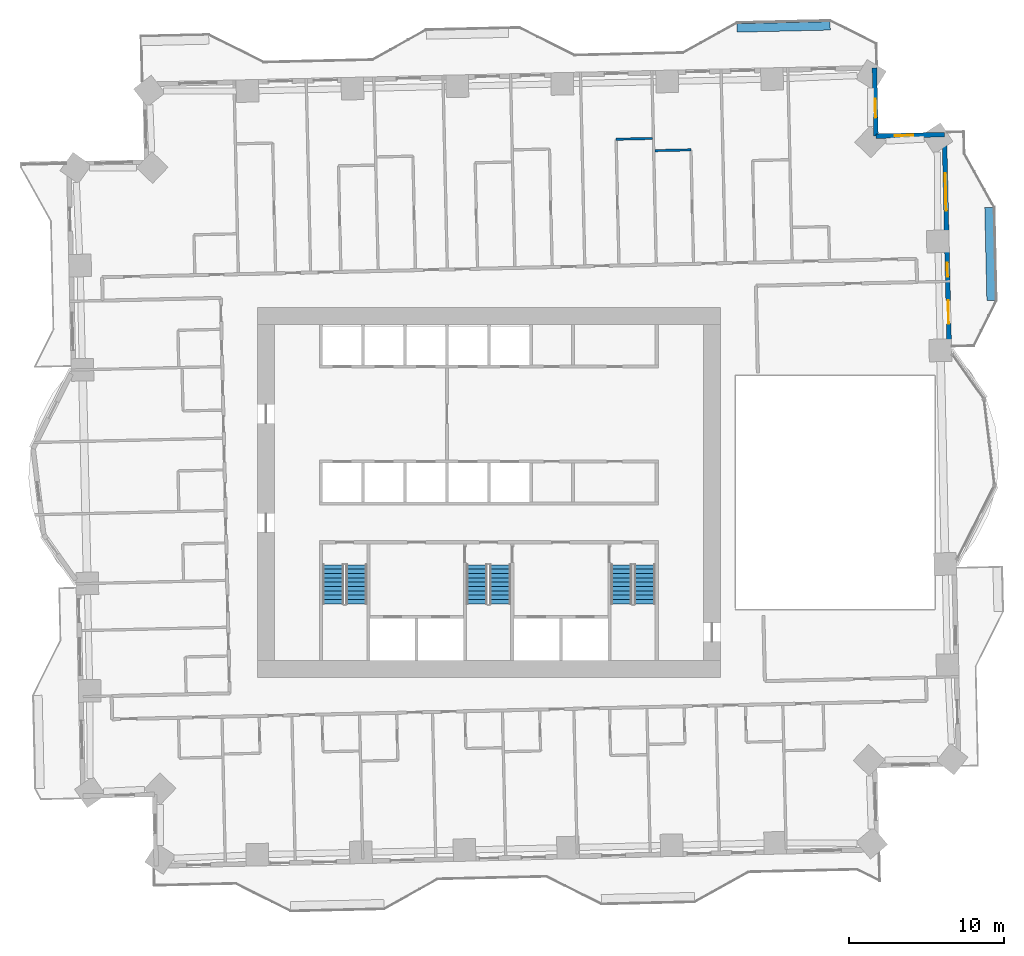
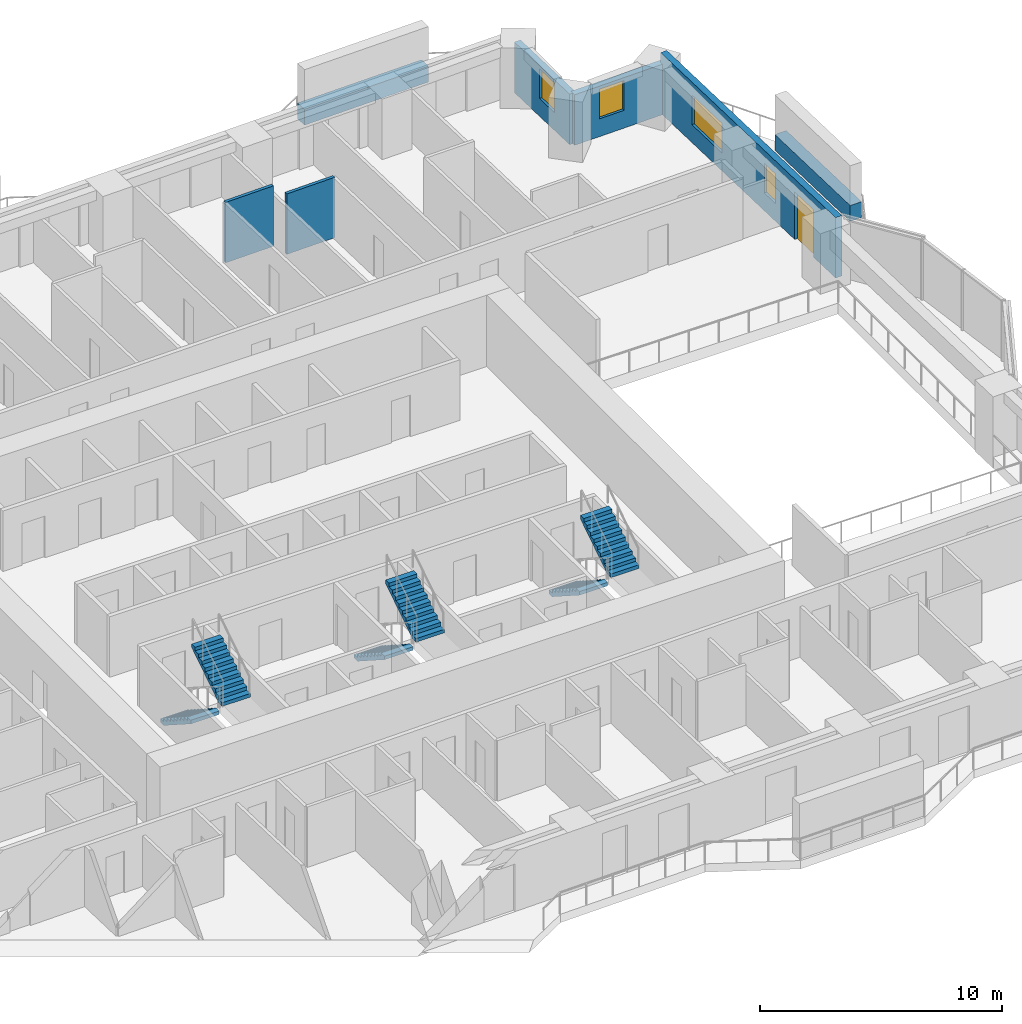
# One storey, part 13 of 17: 7 walls, 6 stair flights, 4 windows, 1 door, 5 openings, 3 elements without a shape of their own.
"""IFC4 building model written with IfcOpenShell, lengths in metres."""

import ifcopenshell
import ifcopenshell.guid

model = None  # the IFC model being written
_history = None  # IfcOwnerHistory: only IFC2X3 demands one
_inside = {}  # id of a spatial element -> (the spatial element, [elements in it])
_under = {}  # id of a project, library or spatial element -> (it, [spatial elements below it])
_declared = {}  # id of a project -> (the project, [libraries it declares])
_typed = {}  # id of a type object -> (the type object, [elements of that type])
_made_of = {}  # id of a material, layer set ... -> (it, [elements and type objects made of it])


def new_model(schema):
    """Start an empty IFC model of exactly this schema.

    Asked for "IFC4X3", IfcOpenShell would pick the latest addendum, in which some entities
    have other attributes; the version numbers below select the first issue.
    IFC2X3 requires an IfcOwnerHistory on every rooted entity: one is made here for all.
    """
    global model, _history
    if schema == "IFC4X3":
        model = ifcopenshell.file(schema_version=(4, 3, 0, 0))
    else:
        model = ifcopenshell.file(schema=schema)
    _inside.clear()
    _under.clear()
    _declared.clear()
    _typed.clear()
    _made_of.clear()
    _history = None
    if model.schema == "IFC2X3":
        org = make("IfcOrganization", Name="unknown")
        user = make(
            "IfcPersonAndOrganization",
            ThePerson=make("IfcPerson", FamilyName="unknown"),
            TheOrganization=org,
        )
        app = make(
            "IfcApplication",
            ApplicationDeveloper=org,
            Version="unknown",
            ApplicationFullName="unknown",
            ApplicationIdentifier="unknown",
        )
        _history = make(
            "IfcOwnerHistory",
            OwningUser=user,
            OwningApplication=app,
            ChangeAction="ADDED",
            CreationDate=0,
        )
    return model


def make(cls, **values):
    """One entity of the class cls with the attributes given. An attribute that is None is left unset."""
    return model.create_entity(
        cls, **{name: value for name, value in values.items() if value is not None}
    )


def rooted(cls, **values):
    """An entity with a GlobalId (a new one), such as an element, a storey or a relation."""
    return make(cls, GlobalId=ifcopenshell.guid.new(), OwnerHistory=_history, **values)


def si_unit(unit_type, name, prefix=None):
    """IfcSIUnit, for example si_unit("LENGTHUNIT", "METRE", prefix="MILLI")."""
    return make("IfcSIUnit", UnitType=unit_type, Prefix=prefix, Name=name)


def assignment(units):
    """IfcUnitAssignment: the units of a project."""
    return None if units is None else make("IfcUnitAssignment", Units=units)


def point(xyz):
    """IfcCartesianPoint."""
    return None if xyz is None else make("IfcCartesianPoint", Coordinates=xyz)


def direction(xyz):
    """IfcDirection."""
    return None if xyz is None else make("IfcDirection", DirectionRatios=xyz)


def frame(location, z_axis=None, x_axis=None):
    """IfcAxis2Placement3D, a coordinate frame: its origin and axes. An axis left out is left unset."""
    return make(
        "IfcAxis2Placement3D",
        Location=point(location),
        Axis=direction(z_axis),
        RefDirection=direction(x_axis),
    )


def frame_2d(location, x_axis=None):
    """IfcAxis2Placement2D, a coordinate frame in the plane: its origin and x axis."""
    return make(
        "IfcAxis2Placement2D", Location=point(location), RefDirection=direction(x_axis)
    )


def origin():
    """The frame at (0, 0, 0) with its axes left unset."""
    return frame((0.0, 0.0, 0.0))


def place(relative_to, where):
    """IfcLocalPlacement: puts the frame where relative to a parent placement (None: the world)."""
    return make(
        "IfcLocalPlacement", PlacementRelTo=relative_to, RelativePlacement=where
    )


def context(
    kind, dimensions, precision=None, world=None, true_north=None, identifier=None
):
    """IfcGeometricRepresentationContext, for example the 3D "Model" context."""
    return make(
        "IfcGeometricRepresentationContext",
        ContextIdentifier=identifier,
        ContextType=kind,
        CoordinateSpaceDimension=dimensions,
        Precision=precision,
        WorldCoordinateSystem=world,
        TrueNorth=true_north,
    )


def subcontext(parent, identifier, kind, view, scale=None):
    """IfcGeometricRepresentationSubContext, for example "Body" below "Model"."""
    return make(
        "IfcGeometricRepresentationSubContext",
        ContextIdentifier=identifier,
        ContextType=kind,
        ParentContext=parent,
        TargetScale=scale,
        TargetView=view,
    )


def project(units=None, contexts=None):
    """IfcProject with its units and contexts."""
    return rooted(
        "IfcProject",
        Name="project",
        RepresentationContexts=contexts,
        UnitsInContext=assignment(units),
    )


def spatial(cls, under=None, at=None, **own):
    """A site, building, storey or space (cls), placed at a placement, below another one or the project."""
    s = rooted(cls, ObjectPlacement=at, **own)
    if under is not None:
        _under.setdefault(under.id(), (under, []))[1].append(s)
    return s


def polyline(points):
    """IfcPolyline through the points."""
    return make("IfcPolyline", Points=[point(p) for p in points])


def profile(cls, at=None, kind="AREA", **sizes):
    """A parametric profile (cls). Its sizes go by their IFC names, for example OverallWidth=200.0."""
    return make(cls, ProfileType=kind, Position=at, **sizes)


def rectangle(**sizes):
    """IfcRectangleProfileDef."""
    return profile("IfcRectangleProfileDef", **sizes)


def outline(outer, holes=None, kind="AREA"):
    """IfcArbitraryClosedProfileDef: a profile drawn as a closed curve; with holes, ...WithVoids."""
    if holes is None:
        return make("IfcArbitraryClosedProfileDef", ProfileType=kind, OuterCurve=outer)
    return make(
        "IfcArbitraryProfileDefWithVoids",
        ProfileType=kind,
        OuterCurve=outer,
        InnerCurves=holes,
    )


def extrude(swept, where, along, depth):
    """IfcExtrudedAreaSolid: the profile swept, set in the frame where, extruded along a direction by depth."""
    return make(
        "IfcExtrudedAreaSolid",
        SweptArea=swept,
        Position=where,
        ExtrudedDirection=direction(along),
        Depth=depth,
    )


def shape(context_of_items, identifier, shape_type, items):
    """IfcShapeRepresentation: the items that make up one representation, for example the "Body"."""
    return make(
        "IfcShapeRepresentation",
        ContextOfItems=context_of_items,
        RepresentationIdentifier=identifier,
        RepresentationType=shape_type,
        Items=items,
    )


def material(Name=None, Category=None):
    """IfcMaterial."""
    return make("IfcMaterial", Name=Name, Category=Category)


def layer(
    of_material, thickness, ventilated=None, Name=None, Category=None, Priority=None
):
    """IfcMaterialLayer: one layer of a wall or slab, of a material (None: an air gap)."""
    return make(
        "IfcMaterialLayer",
        Material=of_material,
        LayerThickness=thickness,
        IsVentilated=ventilated,
        Name=Name,
        Category=Category,
        Priority=Priority,
    )


def layer_set(layers, Name=None):
    """IfcMaterialLayerSet."""
    return make("IfcMaterialLayerSet", MaterialLayers=layers, LayerSetName=Name)


def made_of(thing, what):
    """Note that an element or type object is made of a material, layer set ...; save() writes the relation."""
    if what is not None:
        _made_of.setdefault(what.id(), (what, []))[1].append(thing)
    return thing


def type_object(cls, material=None, **own):
    """A type object (cls), such as IfcWallType, which elements share."""
    return made_of(rooted(cls, **own), material)


def element(
    cls,
    number,
    at=None,
    inside=None,
    cuts=None,
    type_object=None,
    material=None,
    context=None,
    identifier="Body",
    shape_type=None,
    held_by="IfcProductDefinitionShape",
    body=None,
    shapes=None,
    **own,
):
    """One element of the class cls, such as IfcWall. Its Tag is "e" and its number.

    at: its placement. inside: the storey or other place that contains it. cuts: it is an
    opening in that element (IfcRelVoidsElement). A single representation is given by context,
    identifier, shape_type and body (its items); several are given by shapes. held_by: the class
    of the entity that holds the representations. save() writes the other relations.
    """
    e = rooted(cls, Tag="e%d" % number, ObjectPlacement=at, **own)
    if body is not None:
        shapes = [shape(context, identifier, shape_type, body)]
    if shapes is not None:
        e.Representation = make(held_by, Representations=shapes)
    if inside is not None:
        _inside.setdefault(inside.id(), (inside, []))[1].append(e)
    if cuts is not None:
        rooted(
            "IfcRelVoidsElement", RelatingBuildingElement=cuts, RelatedOpeningElement=e
        )
    if type_object is not None:
        _typed.setdefault(type_object.id(), (type_object, []))[1].append(e)
    return made_of(e, material)


def fill(opening, filler):
    """IfcRelFillsElement: the door or window that sits in an opening."""
    return rooted(
        "IfcRelFillsElement",
        RelatingOpeningElement=opening,
        RelatedBuildingElement=filler,
    )


def aggregate(whole, parts):
    """IfcRelAggregates: a whole, such as a stair, and the parts it consists of."""
    return rooted("IfcRelAggregates", RelatingObject=whole, RelatedObjects=parts)


def save(model, path):
    """Write the relations noted so far, then the file.

    IfcRelAggregates (storeys below a building ...), IfcRelContainedInSpatialStructure (elements
    in a storey), IfcRelDefinesByType, IfcRelAssociatesMaterial and IfcRelDeclares: one each for
    every whole, place, type object, material and project.
    """
    for whole, parts in _under.values():
        aggregate(whole, parts)
    for where, things in _inside.values():
        rooted(
            "IfcRelContainedInSpatialStructure",
            RelatedElements=things,
            RelatingStructure=where,
        )
    for kind, things in _typed.values():
        rooted("IfcRelDefinesByType", RelatedObjects=things, RelatingType=kind)
    for what, things in _made_of.values():
        rooted("IfcRelAssociatesMaterial", RelatedObjects=things, RelatingMaterial=what)
    for by, libraries in _declared.values():
        rooted("IfcRelDeclares", RelatingContext=by, RelatedDefinitions=libraries)
    model.write(path)


model = new_model("IFC4")

# Units and contexts
model_context = context("Model", 3, precision=1e-05, world=origin(), true_north=direction((0.0, 1.0)))
body_context = subcontext(model_context, "Body", "Model", "MODEL_VIEW")
ifc_project = project(units=[si_unit("LENGTHUNIT", "METRE"), si_unit("AREAUNIT", "SQUARE_METRE"), si_unit("VOLUMEUNIT", "CUBIC_METRE"), si_unit("PLANEANGLEUNIT", "RADIAN"), si_unit("MASSUNIT", "GRAM", prefix="KILO")], contexts=[model_context])

# Site, building, storey
site_placement = place(None, origin())
site = spatial("IfcSite", under=ifc_project, at=site_placement, CompositionType="ELEMENT")
building_placement = place(site_placement, origin())
building = spatial("IfcBuilding", under=site, at=building_placement, Name="Mangrove Gate Tower", CompositionType="ELEMENT")
storey_placement = place(building_placement, frame((0.0, 0.0, 82.89990234375)))
storey = spatial("IfcBuildingStorey", under=building, at=storey_placement, Name="L20", CompositionType="ELEMENT", Elevation=82.89990234375)

# Wall, openings, door, windows
ifc_material_1 = material(Name="Limestone", Category="masonry")
ifc_layer_1 = layer(ifc_material_1, 0.0400390625, Name="Limestone cladding")
ifc_material_2 = material(Name="Ventilated air gap")
ifc_layer_2 = layer(ifc_material_2, 0.0400390625, Name="Ventilated cavity")
ifc_material_3 = material(Name="Mineral wool insulation")
ifc_layer_3 = layer(ifc_material_3, 0.06005859375, Name="Insulation")
ifc_material_4 = material(Name="Breather membrane")
ifc_layer_4 = layer(ifc_material_4, 0.001953125, Name="Breather membrane")
ifc_material_5 = material(Name="Concrete C20/25 blockwork", Category="masonry")
ifc_layer_5 = layer(ifc_material_5, 0.14990234375, Name="Blockwork backing wall")
ifc_material_6 = material(Name="Gypsum plaster")
ifc_layer_6 = layer(ifc_material_6, 0.008056640625, Name="Internal plaster")
ifc_layer_set_1 = layer_set([ifc_layer_1, ifc_layer_2, ifc_layer_3, ifc_layer_4, ifc_layer_5, ifc_layer_6], Name="External wall 300 limestone cladding")
wall_type_1 = type_object("IfcWallType", Name="External wall 300 limestone cladding", PredefinedType="SOLIDWALL", material=ifc_layer_set_1)
wall_1_placement = place(storey_placement, frame((29.6240234375, 9.10791015625, 0.0), z_axis=(0.0, 0.0, 1.0), x_axis=(-0.022679601751, 0.999742784752, 0.0)))
wall_1 = element("IfcWall", 1, at=wall_1_placement, inside=storey, type_object=wall_type_1, Name="WALL-L20-E2", PredefinedType="SOLIDWALL", context=body_context, shape_type="SweptSolid", body=[
    extrude(rectangle(XDim=13.9296875, YDim=0.300048828125, at=frame_2d((6.96484375, 0.0))), origin(), (0.0, 0.0, 1.0), 3.050048828125),
])
opening_1_placement = place(wall_1_placement, frame((1.75390625, 0.0, 0.0)))
opening_1 = element("IfcOpeningElement", 2, at=opening_1_placement, cuts=wall_1, Name="Opening BD1", PredefinedType="OPENING", context=body_context, shape_type="SweptSolid", body=[
    extrude(rectangle(XDim=1.5, YDim=2.39990234375, at=frame_2d((0.75, 1.199951171875))), frame((0.0, 0.159912109375, 0.0), z_axis=(0.0, -1.0, 0.0), x_axis=(1.0, 0.0, 0.0)), (0.0, 0.0, 1.0), 0.320068359375),
])
opening_2_placement = place(wall_1_placement, frame((4.780029296875, 0.0, 0.89990234375)))
opening_2 = element("IfcOpeningElement", 3, at=opening_2_placement, cuts=wall_1, Name="Opening W5", PredefinedType="OPENING", context=body_context, shape_type="SweptSolid", body=[
    extrude(rectangle(XDim=0.89990234375, YDim=1.5, at=frame_2d((0.449951171875, 0.75))), frame((0.0, 0.159912109375, 0.0), z_axis=(0.0, -1.0, 0.0), x_axis=(1.0, 0.0, 0.0)), (0.0, 0.0, 1.0), 0.320068359375),
])
opening_3_placement = place(wall_1_placement, frame((9.04296875, 0.0, 0.89990234375)))
opening_3 = element("IfcOpeningElement", 4, at=opening_3_placement, cuts=wall_1, Name="Opening W2", PredefinedType="OPENING", context=body_context, shape_type="SweptSolid", body=[
    extrude(rectangle(XDim=2.39990234375, YDim=1.5, at=frame_2d((1.199951171875, 0.75))), frame((0.0, 0.159912109375, 0.0), z_axis=(0.0, -1.0, 0.0), x_axis=(1.0, 0.0, 0.0)), (0.0, 0.0, 1.0), 0.320068359375),
])
ifc_material_7 = material(Name="Aluminium frame with laminated clear glass", Category="aluminium")
door_type = type_object("IfcDoorType", Name="Balcony sliding door 1500x2400", OperationType="SLIDING_TO_LEFT", PredefinedType="DOOR", material=ifc_material_7)
door_placement = place(opening_1_placement, origin())
door = element("IfcDoor", 5, at=door_placement, inside=storey, type_object=door_type, Name="DOOR-L20-E2-1", OperationType="SLIDING_TO_LEFT", OverallHeight=2.39990234375, OverallWidth=1.5, PredefinedType="DOOR", context=body_context, shape_type="SweptSolid", body=[
    extrude(rectangle(XDim=1.5, YDim=2.39990234375, at=frame_2d((0.75, 1.199951171875))), frame((0.0, 0.02490234375, 0.0), z_axis=(0.0, -1.0, 0.0), x_axis=(1.0, 0.0, 0.0)), (0.0, 0.0, 1.0), 0.050048828125),
])
fill(opening_1, door)
ifc_material_8 = material(Name="Aluminium frame with double-glazed low-e glass", Category="aluminium")
window_type_1 = type_object("IfcWindowType", Name="Corner room window 2400x1500", PartitioningType="DOUBLE_PANEL_VERTICAL", PredefinedType="WINDOW", material=ifc_material_8)
window_1_placement = place(opening_3_placement, origin())
window_1 = element("IfcWindow", 6, at=window_1_placement, inside=storey, type_object=window_type_1, Name="WIN-L20-E2-3", OverallHeight=1.5, OverallWidth=2.39990234375, PartitioningType="DOUBLE_PANEL_VERTICAL", PredefinedType="WINDOW", context=body_context, shape_type="SweptSolid", body=[
    extrude(rectangle(XDim=2.39990234375, YDim=1.5, at=frame_2d((1.199951171875, 0.75))), frame((0.0, 0.030029296875, 0.0), z_axis=(0.0, -1.0, 0.0), x_axis=(1.0, 0.0, 0.0)), (0.0, 0.0, 1.0), 0.06005859375),
])
fill(opening_3, window_1)
ifc_material_9 = material(Name="Aluminium frame with double-glazed low-e glass", Category="aluminium")
window_type_2 = type_object("IfcWindowType", Name="Narrow window 900x1500", PartitioningType="SINGLE_PANEL", PredefinedType="WINDOW", material=ifc_material_9)
window_2_placement = place(opening_2_placement, origin())
window_2 = element("IfcWindow", 7, at=window_2_placement, inside=storey, type_object=window_type_2, Name="WIN-L20-E2-2", OverallHeight=1.5, OverallWidth=0.89990234375, PartitioningType="SINGLE_PANEL", PredefinedType="WINDOW", context=body_context, shape_type="SweptSolid", body=[
    extrude(rectangle(XDim=0.89990234375, YDim=1.5, at=frame_2d((0.449951171875, 0.75))), frame((0.0, 0.030029296875, 0.0), z_axis=(0.0, -1.0, 0.0), x_axis=(1.0, 0.0, 0.0)), (0.0, 0.0, 1.0), 0.06005859375),
])
fill(opening_2, window_2)

# Wall, opening, window
wall_2_placement = place(storey_placement, frame((29.30810546875, 23.033935546875, 0.0), z_axis=(0.0, 0.0, 1.0), x_axis=(-0.999742493928, -0.022692418004, 0.0)))
wall_2 = element("IfcWall", 8, at=wall_2_placement, inside=storey, type_object=wall_type_1, Name="WALL-L20-N3", PredefinedType="SOLIDWALL", context=body_context, shape_type="SweptSolid", body=[
    extrude(rectangle(XDim=4.400390625, YDim=0.300048828125, at=frame_2d((2.2001953125, 0.0))), origin(), (0.0, 0.0, 1.0), 2.550048828125),
])
opening_4_placement = place(wall_2_placement, frame((2.0, 0.0, 0.89990234375)))
opening_4 = element("IfcOpeningElement", 9, at=opening_4_placement, cuts=wall_2, Name="Opening W1", PredefinedType="OPENING", context=body_context, shape_type="SweptSolid", body=[
    extrude(rectangle(XDim=1.199951171875, YDim=1.5, at=frame_2d((0.60009765625, 0.75))), frame((0.0, 0.159912109375, 0.0), z_axis=(0.0, -1.0, 0.0), x_axis=(1.0, 0.0, 0.0)), (0.0, 0.0, 1.0), 0.320068359375),
])
ifc_material_10 = material(Name="Aluminium frame with double-glazed low-e glass", Category="aluminium")
window_type_3 = type_object("IfcWindowType", Name="Side lite 1200x1500", PartitioningType="SINGLE_PANEL", PredefinedType="WINDOW", material=ifc_material_10)
window_3_placement = place(opening_4_placement, origin())
window_3 = element("IfcWindow", 10, at=window_3_placement, inside=storey, type_object=window_type_3, Name="WIN-L20-N3-1", OverallHeight=1.5, OverallWidth=1.199951171875, PartitioningType="SINGLE_PANEL", PredefinedType="WINDOW", context=body_context, shape_type="SweptSolid", body=[
    extrude(rectangle(XDim=1.199951171875, YDim=1.5, at=frame_2d((0.60009765625, 0.75))), frame((0.0, 0.030029296875, 0.0), z_axis=(0.0, -1.0, 0.0), x_axis=(1.0, 0.0, 0.0)), (0.0, 0.0, 1.0), 0.06005859375),
])
fill(opening_4, window_3)

wall_3_placement = place(storey_placement, frame((24.908935546875, 22.93408203125, 0.0), z_axis=(0.0, 0.0, 1.0), x_axis=(-0.022693676786, 0.999742465355, 0.0)))
wall_3 = element("IfcWall", 11, at=wall_3_placement, inside=storey, type_object=wall_type_1, Name="WALL-L20-E4", PredefinedType="SOLIDWALL", context=body_context, shape_type="SweptSolid", body=[
    extrude(rectangle(XDim=4.400146484375, YDim=0.300048828125, at=frame_2d((2.2001953125, 0.0))), origin(), (0.0, 0.0, 1.0), 2.550048828125),
])
opening_5_placement = place(wall_3_placement, frame((1.200927734375, 0.0, 0.89990234375)))
opening_5 = element("IfcOpeningElement", 12, at=opening_5_placement, cuts=wall_3, Name="Opening W1", PredefinedType="OPENING", context=body_context, shape_type="SweptSolid", body=[
    extrude(rectangle(XDim=1.199951171875, YDim=1.5, at=frame_2d((0.60009765625, 0.75))), frame((0.0, 0.159912109375, 0.0), z_axis=(0.0, -1.0, 0.0), x_axis=(1.0, 0.0, 0.0)), (0.0, 0.0, 1.0), 0.320068359375),
])
window_4_placement = place(opening_5_placement, origin())
window_4 = element("IfcWindow", 13, at=window_4_placement, inside=storey, type_object=window_type_3, Name="WIN-L20-E4-1", OverallHeight=1.5, OverallWidth=1.199951171875, PartitioningType="SINGLE_PANEL", PredefinedType="WINDOW", context=body_context, shape_type="SweptSolid", body=[
    extrude(rectangle(XDim=1.199951171875, YDim=1.5, at=frame_2d((0.60009765625, 0.75))), frame((0.0, 0.030029296875, 0.0), z_axis=(0.0, -1.0, 0.0), x_axis=(1.0, 0.0, 0.0)), (0.0, 0.0, 1.0), 0.06005859375),
])
fill(opening_5, window_4)

# Walls
ifc_material_11 = material(Name="Gypsum board on steel stud, EI 60", Category="steel")
ifc_layer_7 = layer(ifc_material_11, 0.14990234375)
ifc_layer_set_2 = layer_set([ifc_layer_7], Name="Party wall 150 EI 60")
wall_type_2 = type_object("IfcWallType", Name="Party wall 150 EI 60", PredefinedType="PARTITIONING", material=ifc_layer_set_2)
wall_4_placement = place(storey_placement, frame((10.679931640625, 22.0009765625, 0.0), z_axis=(0.0, 0.0, 1.0), x_axis=(0.999740260747, 0.02279059109, 0.0)))
element("IfcWall", 14, at=wall_4_placement, inside=storey, type_object=wall_type_2, Name="WALL-L20-087", PredefinedType="PARTITIONING", context=body_context, shape_type="SweptSolid", body=[
    extrude(rectangle(XDim=2.324462890625, YDim=0.14990234375, at=frame_2d((1.162109375, 0.0))), origin(), (0.0, 0.0, 1.0), 3.050048828125),
])
wall_5_placement = place(storey_placement, frame((8.18701171875, 22.735107421875, 0.0), z_axis=(0.0, 0.0, 1.0), x_axis=(0.999740478815, 0.022781023197, 0.0)))
element("IfcWall", 15, at=wall_5_placement, inside=storey, type_object=wall_type_2, Name="WALL-L20-089", PredefinedType="PARTITIONING", context=body_context, shape_type="SweptSolid", body=[
    extrude(rectangle(XDim=2.325439453125, YDim=0.14990234375, at=frame_2d((1.16259765625, 0.0))), origin(), (0.0, 0.0, 1.0), 3.050048828125),
])
ifc_material_12 = material(Name="Concrete C32/40", Category="concrete")
ifc_layer_8 = layer(ifc_material_12, 0.199951171875, Name="Planter trough wall")
ifc_material_13 = material(Name="Bituminous waterproofing membrane")
ifc_layer_9 = layer(ifc_material_13, 0.0048828125, Name="Waterproofing")
ifc_material_14 = material(Name="Drainage board and gravel")
ifc_layer_10 = layer(ifc_material_14, 0.044921875, Name="Drainage layer")
ifc_material_15 = material(Name="Planting soil")
ifc_layer_11 = layer(ifc_material_15, 0.300048828125, Name="Growing medium")
ifc_layer_set_3 = layer_set([ifc_layer_8, ifc_layer_9, ifc_layer_10, ifc_layer_11], Name="Planter wall 550 C32/40")
wall_type_3 = type_object("IfcWallType", Name="Planter wall 550 C32/40", PredefinedType="USERDEFINED", material=ifc_layer_set_3)
wall_6_placement = place(storey_placement, frame((32.31591796875, 12.35009765625, 0.0), z_axis=(0.0, 0.0, 1.0), x_axis=(-0.022666865795, 0.999743073592, 0.0)))
element("IfcWall", 16, at=wall_6_placement, inside=storey, type_object=wall_type_3, Name="PLANTER L20 E1.1", ObjectType="PLANTER", PredefinedType="USERDEFINED", context=body_context, shape_type="SweptSolid", body=[
    extrude(rectangle(XDim=5.999267578125, YDim=0.550048828125, at=frame_2d((2.99951171875, 0.0))), origin(), (0.0, 0.0, 1.0), 0.800048828125),
])
wall_7_placement = place(storey_placement, frame((15.962890625, 29.89794921875, 0.0), z_axis=(0.0, 0.0, 1.0), x_axis=(0.999743094499, 0.022665943652, 0.0)))
element("IfcWall", 17, at=wall_7_placement, inside=storey, type_object=wall_type_3, Name="PLANTER L20 N0.1", ObjectType="PLANTER", PredefinedType="USERDEFINED", context=body_context, shape_type="SweptSolid", body=[
    extrude(rectangle(XDim=5.99951171875, YDim=0.550048828125, at=frame_2d((2.999755859375, 0.0))), origin(), (0.0, 0.0, 1.0), 0.800048828125),
])

# Stair, stair flights
ifc_material_16 = material(Name="Concrete C40/50", Category="concrete")
stair_type = type_object("IfcStairType", Name="Core stair 1350", PredefinedType="HALF_TURN_STAIR", material=ifc_material_16)
stair_1_placement = place(storey_placement, origin())
stair_1 = element("IfcStair", 18, at=stair_1_placement, inside=storey, type_object=stair_type, Name="L20 Stair 1", PredefinedType="HALF_TURN_STAIR")
ifc_material_17 = material(Name="Concrete C40/50", Category="concrete")
stair_flight_type = type_object("IfcStairFlightType", Name="Core stair flight 1350", PredefinedType="STRAIGHT", material=ifc_material_17)
stair_flight_1_placement = place(storey_placement, frame((-10.02490234375, -4.64990234375, 0.0), z_axis=(0.0, 0.0, 1.0), x_axis=(0.0, -1.0, 0.0)))
stair_flight_1 = element("IfcStairFlight", 19, at=stair_flight_1_placement, type_object=stair_flight_type, Name="ST1 flight 1", NumberOfRisers=10, NumberOfTreads=9, PredefinedType="STRAIGHT", RiserHeight=0.18, TreadLength=0.28, context=body_context, shape_type="SweptSolid", body=[
    extrude(outline(polyline([(0.0, 0.0), (0.0, 0.179931640625), (0.280029296875, 0.179931640625), (0.280029296875, 0.360107421875), (0.56005859375, 0.360107421875), (0.56005859375, 0.5400390625), (0.840087890625, 0.5400390625), (0.840087890625, 0.719970703125), (1.1201171875, 0.719970703125), (1.1201171875, 0.89990234375), (1.39990234375, 0.89990234375), (1.39990234375, 1.080078125), (1.679931640625, 1.080078125), (1.679931640625, 1.260009765625), (1.9599609375, 1.260009765625), (1.9599609375, 1.43994140625), (2.239990234375, 1.43994140625), (2.239990234375, 1.6201171875), (2.52001953125, 1.6201171875), (2.52001953125, 1.800048828125), (2.52001953125, 1.44189453125), (0.277099609375, 0.0), (0.0, 0.0)])), frame((0.0, 0.675048828125, 0.0), z_axis=(0.0, -1.0, 0.0), x_axis=(1.0, 0.0, 0.0)), (0.0, 0.0, 1.0), 1.35009765625),
])
stair_flight_2_placement = place(storey_placement, frame((-8.52490234375, -7.169921875, 1.800048828125), z_axis=(0.0, 0.0, 1.0), x_axis=(0.0, 1.0, 0.0)))
stair_flight_2 = element("IfcStairFlight", 20, at=stair_flight_2_placement, type_object=stair_flight_type, Name="ST1 flight 2", NumberOfRisers=10, NumberOfTreads=9, PredefinedType="STRAIGHT", RiserHeight=0.18, TreadLength=0.28, context=body_context, shape_type="SweptSolid", body=[
    extrude(outline(polyline([(0.0, 0.0), (0.0, 0.179931640625), (0.280029296875, 0.179931640625), (0.280029296875, 0.360107421875), (0.56005859375, 0.360107421875), (0.56005859375, 0.5400390625), (0.840087890625, 0.5400390625), (0.840087890625, 0.719970703125), (1.1201171875, 0.719970703125), (1.1201171875, 0.89990234375), (1.39990234375, 0.89990234375), (1.39990234375, 1.080078125), (1.679931640625, 1.080078125), (1.679931640625, 1.260009765625), (1.9599609375, 1.260009765625), (1.9599609375, 1.43994140625), (2.239990234375, 1.43994140625), (2.239990234375, 1.6201171875), (2.52001953125, 1.6201171875), (2.52001953125, 1.800048828125), (2.52001953125, 1.44189453125), (0.277099609375, 0.0), (0.0, 0.0)])), frame((0.0, 0.675048828125, 0.0), z_axis=(0.0, -1.0, 0.0), x_axis=(1.0, 0.0, 0.0)), (0.0, 0.0, 1.0), 1.35009765625),
])
aggregate(stair_1, [stair_flight_1, stair_flight_2])

stair_2_placement = place(storey_placement, origin())
stair_2 = element("IfcStair", 21, at=stair_2_placement, inside=storey, type_object=stair_type, Name="L20 Stair 2", PredefinedType="HALF_TURN_STAIR")
stair_flight_3_placement = place(storey_placement, frame((-0.77490234375, -4.64990234375, 0.0), z_axis=(0.0, 0.0, 1.0), x_axis=(0.0, -1.0, 0.0)))
stair_flight_3 = element("IfcStairFlight", 22, at=stair_flight_3_placement, type_object=stair_flight_type, Name="ST2 flight 1", NumberOfRisers=10, NumberOfTreads=9, PredefinedType="STRAIGHT", RiserHeight=0.18, TreadLength=0.28, context=body_context, shape_type="SweptSolid", body=[
    extrude(outline(polyline([(0.0, 0.0), (0.0, 0.179931640625), (0.280029296875, 0.179931640625), (0.280029296875, 0.360107421875), (0.56005859375, 0.360107421875), (0.56005859375, 0.5400390625), (0.840087890625, 0.5400390625), (0.840087890625, 0.719970703125), (1.1201171875, 0.719970703125), (1.1201171875, 0.89990234375), (1.39990234375, 0.89990234375), (1.39990234375, 1.080078125), (1.679931640625, 1.080078125), (1.679931640625, 1.260009765625), (1.9599609375, 1.260009765625), (1.9599609375, 1.43994140625), (2.239990234375, 1.43994140625), (2.239990234375, 1.6201171875), (2.52001953125, 1.6201171875), (2.52001953125, 1.800048828125), (2.52001953125, 1.44189453125), (0.277099609375, 0.0), (0.0, 0.0)])), frame((0.0, 0.675048828125, 0.0), z_axis=(0.0, -1.0, 0.0), x_axis=(1.0, 0.0, 0.0)), (0.0, 0.0, 1.0), 1.35009765625),
])
stair_flight_4_placement = place(storey_placement, frame((0.72509765625, -7.169921875, 1.800048828125), z_axis=(0.0, 0.0, 1.0), x_axis=(0.0, 1.0, 0.0)))
stair_flight_4 = element("IfcStairFlight", 23, at=stair_flight_4_placement, type_object=stair_flight_type, Name="ST2 flight 2", NumberOfRisers=10, NumberOfTreads=9, PredefinedType="STRAIGHT", RiserHeight=0.18, TreadLength=0.28, context=body_context, shape_type="SweptSolid", body=[
    extrude(outline(polyline([(0.0, 0.0), (0.0, 0.179931640625), (0.280029296875, 0.179931640625), (0.280029296875, 0.360107421875), (0.56005859375, 0.360107421875), (0.56005859375, 0.5400390625), (0.840087890625, 0.5400390625), (0.840087890625, 0.719970703125), (1.1201171875, 0.719970703125), (1.1201171875, 0.89990234375), (1.39990234375, 0.89990234375), (1.39990234375, 1.080078125), (1.679931640625, 1.080078125), (1.679931640625, 1.260009765625), (1.9599609375, 1.260009765625), (1.9599609375, 1.43994140625), (2.239990234375, 1.43994140625), (2.239990234375, 1.6201171875), (2.52001953125, 1.6201171875), (2.52001953125, 1.800048828125), (2.52001953125, 1.44189453125), (0.277099609375, 0.0), (0.0, 0.0)])), frame((0.0, 0.675048828125, 0.0), z_axis=(0.0, -1.0, 0.0), x_axis=(1.0, 0.0, 0.0)), (0.0, 0.0, 1.0), 1.35009765625),
])
aggregate(stair_2, [stair_flight_3, stair_flight_4])

stair_3_placement = place(storey_placement, origin())
stair_3 = element("IfcStair", 24, at=stair_3_placement, inside=storey, type_object=stair_type, Name="L20 Stair 3", PredefinedType="HALF_TURN_STAIR")
stair_flight_5_placement = place(storey_placement, frame((8.52490234375, -4.64990234375, 0.0), z_axis=(0.0, 0.0, 1.0), x_axis=(0.0, -1.0, 0.0)))
stair_flight_5 = element("IfcStairFlight", 25, at=stair_flight_5_placement, type_object=stair_flight_type, Name="ST3 flight 1", NumberOfRisers=10, NumberOfTreads=9, PredefinedType="STRAIGHT", RiserHeight=0.18, TreadLength=0.28, context=body_context, shape_type="SweptSolid", body=[
    extrude(outline(polyline([(0.0, 0.0), (0.0, 0.179931640625), (0.280029296875, 0.179931640625), (0.280029296875, 0.360107421875), (0.56005859375, 0.360107421875), (0.56005859375, 0.5400390625), (0.840087890625, 0.5400390625), (0.840087890625, 0.719970703125), (1.1201171875, 0.719970703125), (1.1201171875, 0.89990234375), (1.39990234375, 0.89990234375), (1.39990234375, 1.080078125), (1.679931640625, 1.080078125), (1.679931640625, 1.260009765625), (1.9599609375, 1.260009765625), (1.9599609375, 1.43994140625), (2.239990234375, 1.43994140625), (2.239990234375, 1.6201171875), (2.52001953125, 1.6201171875), (2.52001953125, 1.800048828125), (2.52001953125, 1.44189453125), (0.277099609375, 0.0), (0.0, 0.0)])), frame((0.0, 0.675048828125, 0.0), z_axis=(0.0, -1.0, 0.0), x_axis=(1.0, 0.0, 0.0)), (0.0, 0.0, 1.0), 1.35009765625),
])
stair_flight_6_placement = place(storey_placement, frame((10.02490234375, -7.169921875, 1.800048828125), z_axis=(0.0, 0.0, 1.0), x_axis=(0.0, 1.0, 0.0)))
stair_flight_6 = element("IfcStairFlight", 26, at=stair_flight_6_placement, type_object=stair_flight_type, Name="ST3 flight 2", NumberOfRisers=10, NumberOfTreads=9, PredefinedType="STRAIGHT", RiserHeight=0.18, TreadLength=0.28, context=body_context, shape_type="SweptSolid", body=[
    extrude(outline(polyline([(0.0, 0.0), (0.0, 0.179931640625), (0.280029296875, 0.179931640625), (0.280029296875, 0.360107421875), (0.56005859375, 0.360107421875), (0.56005859375, 0.5400390625), (0.840087890625, 0.5400390625), (0.840087890625, 0.719970703125), (1.1201171875, 0.719970703125), (1.1201171875, 0.89990234375), (1.39990234375, 0.89990234375), (1.39990234375, 1.080078125), (1.679931640625, 1.080078125), (1.679931640625, 1.260009765625), (1.9599609375, 1.260009765625), (1.9599609375, 1.43994140625), (2.239990234375, 1.43994140625), (2.239990234375, 1.6201171875), (2.52001953125, 1.6201171875), (2.52001953125, 1.800048828125), (2.52001953125, 1.44189453125), (0.277099609375, 0.0), (0.0, 0.0)])), frame((0.0, 0.675048828125, 0.0), z_axis=(0.0, -1.0, 0.0), x_axis=(1.0, 0.0, 0.0)), (0.0, 0.0, 1.0), 1.35009765625),
])
aggregate(stair_3, [stair_flight_5, stair_flight_6])

save(model, "model.ifc")
